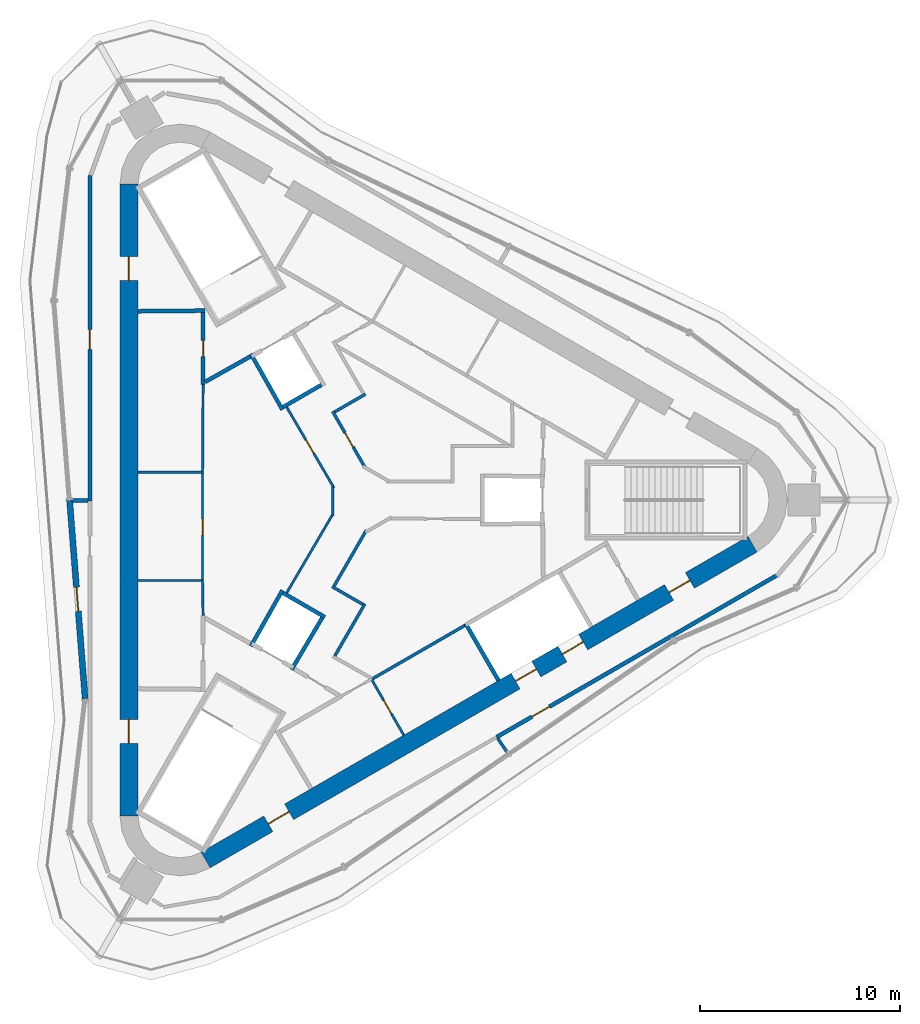
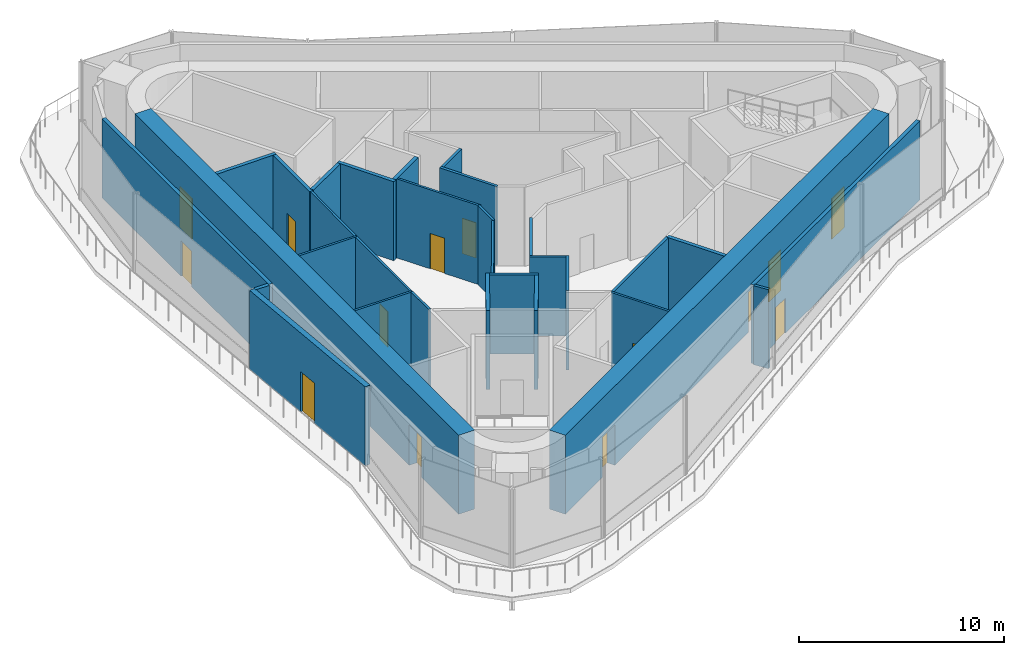
# One storey, part 4 of 8: 31 walls, 14 doors, 14 openings.
"""IFC4 building model written with IfcOpenShell, lengths in metres."""

from ifc_helpers import new_model, si_unit, direction, frame, frame_2d, origin, place, context, subcontext, project, spatial, rectangle, extrude, material, layer, layer_set, type_object, element, fill, save


model = new_model("IFC4")

# Units and contexts
model_context = context("Model", 3, precision=1e-05, world=origin(), true_north=direction((0.0, 1.0)))
body_context = subcontext(model_context, "Body", "Model", "MODEL_VIEW")
ifc_project = project(units=[si_unit("LENGTHUNIT", "METRE"), si_unit("AREAUNIT", "SQUARE_METRE"), si_unit("VOLUMEUNIT", "CUBIC_METRE"), si_unit("PLANEANGLEUNIT", "RADIAN"), si_unit("MASSUNIT", "GRAM", prefix="KILO")], contexts=[model_context])

# Site, building, storey
site_placement = place(None, origin())
site = spatial("IfcSite", under=ifc_project, at=site_placement, CompositionType="ELEMENT")
building_placement = place(site_placement, origin())
building = spatial("IfcBuilding", under=site, at=building_placement, Name="Tanit Gate Tower", CompositionType="ELEMENT")
storey_placement = place(building_placement, frame((0.0, 0.0, 440.300048828125)))
storey = spatial("IfcBuildingStorey", under=building, at=storey_placement, Name="L99", CompositionType="ELEMENT", Elevation=440.300048828125)

# Wall, openings, doors
ifc_material_1 = material(Name="Concrete C40/50", Category="concrete")
ifc_layer_1 = layer(ifc_material_1, 0.89990234375)
ifc_layer_set_1 = layer_set([ifc_layer_1], Name="CORE WALL 900 C40/50")
wall_type_1 = type_object("IfcWallType", Name="CORE WALL 900 C40/50", PredefinedType="SHEAR", material=ifc_layer_set_1)
wall_1_placement = place(storey_placement, frame((-11.64990234375, 15.76171875, 0.0), z_axis=(0.0, 0.0, 1.0), x_axis=(0.0, -1.0, 0.0)))
wall_1 = element("IfcWall", 1, at=wall_1_placement, inside=storey, type_object=wall_type_1, Name="CORE WALL", PredefinedType="SHEAR", context=body_context, shape_type="SweptSolid", body=[
    extrude(rectangle(XDim=31.5234375, YDim=0.89990234375, at=frame_2d((15.76171875, 0.0))), origin(), (0.0, 0.0, 1.0), 4.699951171875),
])
opening_1_placement = place(wall_1_placement, frame((3.61181640625, 0.0, 0.0)))
opening_1 = element("IfcOpeningElement", 2, at=opening_1_placement, cuts=wall_1, Name="Opening F12-99-FL2", PredefinedType="OPENING", context=body_context, shape_type="SweptSolid", body=[
    extrude(rectangle(XDim=1.199951171875, YDim=2.39990234375, at=frame_2d((0.60009765625, 1.199951171875))), frame((0.0, 0.4599609375, 0.0), z_axis=(0.0, -1.0, 0.0), x_axis=(1.0, 0.0, 0.0)), (0.0, 0.0, 1.0), 0.919921875),
])
opening_2_placement = place(wall_1_placement, frame((26.711669921875, 0.0, 0.0)))
opening_2 = element("IfcOpeningElement", 3, at=opening_2_placement, cuts=wall_1, Name="Opening F12-99-S3", PredefinedType="OPENING", context=body_context, shape_type="SweptSolid", body=[
    extrude(rectangle(XDim=1.199951171875, YDim=2.39990234375, at=frame_2d((0.60009765625, 1.199951171875))), frame((0.0, 0.4599609375, 0.0), z_axis=(0.0, -1.0, 0.0), x_axis=(1.0, 0.0, 0.0)), (0.0, 0.0, 1.0), 0.919921875),
])
ifc_material_2 = material(Name="Fire-rated steel door leaf", Category="steel")
door_type_1 = type_object("IfcDoorType", Name="INT-DOOR-FIRE-LOBBY-1200", OperationType="NOTDEFINED", PredefinedType="USERDEFINED", material=ifc_material_2)
door_1_placement = place(opening_1_placement, origin())
door_1 = element("IfcDoor", 4, at=door_1_placement, inside=storey, type_object=door_type_1, Name="Door F12-99-FL2", ObjectType="FIRE DOOR", OperationType="SINGLE_SWING_RIGHT", OverallHeight=2.39990234375, OverallWidth=1.199951171875, PredefinedType="USERDEFINED", context=body_context, shape_type="SweptSolid", body=[
    extrude(rectangle(XDim=1.199951171875, YDim=2.39990234375, at=frame_2d((0.60009765625, 1.199951171875))), frame((0.0, 0.02490234375, 0.0), z_axis=(0.0, -1.0, 0.0), x_axis=(1.0, 0.0, 0.0)), (0.0, 0.0, 1.0), 0.050048828125),
])
fill(opening_1, door_1)
door_2_placement = place(opening_2_placement, origin())
door_2 = element("IfcDoor", 5, at=door_2_placement, inside=storey, type_object=door_type_1, Name="Door F12-99-S3", ObjectType="FIRE DOOR", OperationType="SINGLE_SWING_RIGHT", OverallHeight=2.39990234375, OverallWidth=1.199951171875, PredefinedType="USERDEFINED", context=body_context, shape_type="SweptSolid", body=[
    extrude(rectangle(XDim=1.199951171875, YDim=2.39990234375, at=frame_2d((0.60009765625, 1.199951171875))), frame((0.0, 0.02490234375, 0.0), z_axis=(0.0, -1.0, 0.0), x_axis=(1.0, 0.0, 0.0)), (0.0, 0.0, 1.0), 0.050048828125),
])
fill(opening_2, door_2)

wall_2_placement = place(storey_placement, frame((-7.824951171875, -17.969970703125, 0.0), z_axis=(0.0, 0.0, 1.0), x_axis=(0.866028369851, 0.499994862586, 0.0)))
wall_2 = element("IfcWall", 6, at=wall_2_placement, inside=storey, type_object=wall_type_1, Name="CORE WALL", PredefinedType="SHEAR", context=body_context, shape_type="SweptSolid", body=[
    extrude(rectangle(XDim=31.523193359375, YDim=0.89990234375, at=frame_2d((15.76171875, 0.0))), origin(), (0.0, 0.0, 1.0), 4.699951171875),
])
opening_3_placement = place(wall_2_placement, frame((17.861572265625, 0.0, 0.0)))
opening_3 = element("IfcOpeningElement", 7, at=opening_3_placement, cuts=wall_2, Name="Opening LDSV1-99", PredefinedType="OPENING", context=body_context, shape_type="SweptSolid", body=[
    extrude(rectangle(XDim=1.199951171875, YDim=2.39990234375, at=frame_2d((0.60009765625, 1.199951171875))), frame((0.0, 0.4599609375, 0.0), z_axis=(0.0, -1.0, 0.0), x_axis=(1.0, 0.0, 0.0)), (0.0, 0.0, 1.0), 0.919921875),
])
opening_4_placement = place(wall_2_placement, frame((20.561767578125, 0.0, 0.0)))
opening_4 = element("IfcOpeningElement", 8, at=opening_4_placement, cuts=wall_2, Name="Opening LDSV2-99", PredefinedType="OPENING", context=body_context, shape_type="SweptSolid", body=[
    extrude(rectangle(XDim=1.199951171875, YDim=2.39990234375, at=frame_2d((0.60009765625, 1.199951171875))), frame((0.0, 0.4599609375, 0.0), z_axis=(0.0, -1.0, 0.0), x_axis=(1.0, 0.0, 0.0)), (0.0, 0.0, 1.0), 0.919921875),
])
opening_5_placement = place(wall_2_placement, frame((26.711669921875, 0.0, 0.0)))
opening_5 = element("IfcOpeningElement", 9, at=opening_5_placement, cuts=wall_2, Name="Opening F12-99-S1", PredefinedType="OPENING", context=body_context, shape_type="SweptSolid", body=[
    extrude(rectangle(XDim=1.199951171875, YDim=2.39990234375, at=frame_2d((0.60009765625, 1.199951171875))), frame((0.0, 0.4599609375, 0.0), z_axis=(0.0, -1.0, 0.0), x_axis=(1.0, 0.0, 0.0)), (0.0, 0.0, 1.0), 0.919921875),
])
opening_6_placement = place(wall_2_placement, frame((3.611572265625, 0.0, 0.0)))
opening_6 = element("IfcOpeningElement", 10, at=opening_6_placement, cuts=wall_2, Name="Opening F12-99-FL3", PredefinedType="OPENING", context=body_context, shape_type="SweptSolid", body=[
    extrude(rectangle(XDim=1.199951171875, YDim=2.39990234375, at=frame_2d((0.60009765625, 1.199951171875))), frame((0.0, 0.4599609375, 0.0), z_axis=(0.0, -1.0, 0.0), x_axis=(1.0, 0.0, 0.0)), (0.0, 0.0, 1.0), 0.919921875),
])
door_3_placement = place(opening_5_placement, origin())
door_3 = element("IfcDoor", 11, at=door_3_placement, inside=storey, type_object=door_type_1, Name="Door F12-99-S1", ObjectType="FIRE DOOR", OperationType="SINGLE_SWING_RIGHT", OverallHeight=2.39990234375, OverallWidth=1.199951171875, PredefinedType="USERDEFINED", context=body_context, shape_type="SweptSolid", body=[
    extrude(rectangle(XDim=1.199951171875, YDim=2.39990234375, at=frame_2d((0.60009765625, 1.199951171875))), frame((0.0, 0.02490234375, 0.0), z_axis=(0.0, -1.0, 0.0), x_axis=(1.0, 0.0, 0.0)), (0.0, 0.0, 1.0), 0.050048828125),
])
fill(opening_5, door_3)
door_4_placement = place(opening_6_placement, origin())
door_4 = element("IfcDoor", 12, at=door_4_placement, inside=storey, type_object=door_type_1, Name="Door F12-99-FL3", ObjectType="FIRE DOOR", OperationType="SINGLE_SWING_LEFT", OverallHeight=2.39990234375, OverallWidth=1.199951171875, PredefinedType="USERDEFINED", context=body_context, shape_type="SweptSolid", body=[
    extrude(rectangle(XDim=1.199951171875, YDim=2.39990234375, at=frame_2d((0.60009765625, 1.199951171875))), frame((0.0, 0.02490234375, 0.0), z_axis=(0.0, -1.0, 0.0), x_axis=(1.0, 0.0, 0.0)), (0.0, 0.0, 1.0), 0.050048828125),
])
fill(opening_6, door_4)
ifc_material_3 = material(Name="Stainless steel sliding door leaf", Category="steel")
door_type_2 = type_object("IfcDoorType", Name="INT-DOOR-LANDING-1200", OperationType="NOTDEFINED", PredefinedType="USERDEFINED", material=ifc_material_3)
door_5_placement = place(opening_3_placement, origin())
door_5 = element("IfcDoor", 13, at=door_5_placement, inside=storey, type_object=door_type_2, Name="Door LDSV1-99", ObjectType="LANDING DOOR", OperationType="SLIDING_TO_LEFT", OverallHeight=2.39990234375, OverallWidth=1.199951171875, PredefinedType="USERDEFINED", context=body_context, shape_type="SweptSolid", body=[
    extrude(rectangle(XDim=1.199951171875, YDim=2.39990234375, at=frame_2d((0.60009765625, 1.199951171875))), frame((0.0, 0.02490234375, 0.0), z_axis=(0.0, -1.0, 0.0), x_axis=(1.0, 0.0, 0.0)), (0.0, 0.0, 1.0), 0.050048828125),
])
fill(opening_3, door_5)
door_6_placement = place(opening_4_placement, origin())
door_6 = element("IfcDoor", 14, at=door_6_placement, inside=storey, type_object=door_type_2, Name="Door LDSV2-99", ObjectType="LANDING DOOR", OperationType="SLIDING_TO_LEFT", OverallHeight=2.39990234375, OverallWidth=1.199951171875, PredefinedType="USERDEFINED", context=body_context, shape_type="SweptSolid", body=[
    extrude(rectangle(XDim=1.199951171875, YDim=2.39990234375, at=frame_2d((0.60009765625, 1.199951171875))), frame((0.0, 0.02490234375, 0.0), z_axis=(0.0, -1.0, 0.0), x_axis=(1.0, 0.0, 0.0)), (0.0, 0.0, 1.0), 0.050048828125),
])
fill(opening_4, door_6)

# Wall
ifc_material_4 = material(Name="Fire-rated gypsum board partition")
ifc_layer_2 = layer(ifc_material_4, 0.199951171875)
ifc_layer_set_2 = layer_set([ifc_layer_2], Name="INT-WALL-COMPARTMENT")
wall_type_2 = type_object("IfcWallType", Name="INT-WALL-COMPARTMENT", PredefinedType="PARTITIONING", material=ifc_layer_set_2)
wall_3_placement = place(storey_placement, frame((-7.85009765625, 9.450927734375, 0.0), z_axis=(0.0, 0.0, 1.0), x_axis=(-0.999957167047, -0.009255488683, 0.0)))
element("IfcWall", 15, at=wall_3_placement, inside=storey, type_object=wall_type_2, Name="Wall Compartment W034", PredefinedType="PARTITIONING", context=body_context, shape_type="SweptSolid", body=[
    extrude(rectangle(XDim=3.35009765625, YDim=0.199951171875, at=frame_2d((1.675048828125, 0.0))), origin(), (0.0, 0.0, 1.0), 4.699951171875),
])

# Wall, opening, door
wall_4_placement = place(storey_placement, frame((-7.949951171875, 5.7724609375, 0.0), z_axis=(0.0, 0.0, 1.0), x_axis=(0.0, 1.0, 0.0)))
wall_4 = element("IfcWall", 16, at=wall_4_placement, inside=storey, type_object=wall_type_2, Name="Wall Compartment W035", PredefinedType="PARTITIONING", context=body_context, shape_type="SweptSolid", body=[
    extrude(rectangle(XDim=3.57763671875, YDim=0.199951171875, at=frame_2d((1.788818359375, 0.0))), origin(), (0.0, 0.0, 1.0), 4.699951171875),
])
opening_7_placement = place(wall_4_placement, frame((1.388916015625, 0.0, 0.0)))
opening_7 = element("IfcOpeningElement", 17, at=opening_7_placement, cuts=wall_4, Name="Opening R08-99-14", PredefinedType="OPENING", context=body_context, shape_type="SweptSolid", body=[
    extrude(rectangle(XDim=0.800048828125, YDim=2.10009765625, at=frame_2d((0.39990234375, 1.050048828125))), frame((0.0, 0.10986328125, 0.0), z_axis=(0.0, -1.0, 0.0), x_axis=(1.0, 0.0, 0.0)), (0.0, 0.0, 1.0), 0.219970703125),
])
ifc_material_5 = material(Name="Timber door leaf", Category="wood")
door_type_3 = type_object("IfcDoorType", Name="INT-DOOR-RISER-800", OperationType="NOTDEFINED", PredefinedType="USERDEFINED", material=ifc_material_5)
door_7_placement = place(opening_7_placement, origin())
door_7 = element("IfcDoor", 18, at=door_7_placement, inside=storey, type_object=door_type_3, Name="Door R08-99-14", ObjectType="FIRE DOOR", OperationType="SINGLE_SWING_RIGHT", OverallHeight=2.10009765625, OverallWidth=0.800048828125, PredefinedType="USERDEFINED", context=body_context, shape_type="SweptSolid", body=[
    extrude(rectangle(XDim=0.800048828125, YDim=2.10009765625, at=frame_2d((0.39990234375, 1.050048828125))), frame((0.0, 0.02490234375, 0.0), z_axis=(0.0, -1.0, 0.0), x_axis=(1.0, 0.0, 0.0)), (0.0, 0.0, 1.0), 0.050048828125),
])
fill(opening_7, door_7)

# Wall
wall_5_placement = place(storey_placement, frame((-5.600341796875, 7.16015625, 0.0), z_axis=(0.0, 0.0, 1.0), x_axis=(-0.871350695252, -0.490660744185, 0.0)))
element("IfcWall", 19, at=wall_5_placement, inside=storey, type_object=wall_type_2, Name="Wall Compartment W061", PredefinedType="PARTITIONING", context=body_context, shape_type="SweptSolid", body=[
    extrude(rectangle(XDim=2.58203125, YDim=0.199951171875, at=frame_2d((1.291015625, 0.0))), origin(), (0.0, 0.0, 1.0), 4.699951171875),
])

# Wall, opening, door
wall_6_placement = place(storey_placement, frame((-13.60009765625, 16.20556640625, 0.0), z_axis=(0.0, 0.0, 1.0), x_axis=(0.0, -1.0, 0.0)))
wall_6 = element("IfcWall", 20, at=wall_6_placement, inside=storey, type_object=wall_type_2, Name="Wall Compartment W090", PredefinedType="PARTITIONING", context=body_context, shape_type="SweptSolid", body=[
    extrude(rectangle(XDim=16.255615234375, YDim=0.199951171875, at=frame_2d((8.1279296875, 0.0))), origin(), (0.0, 0.0, 1.0), 4.699951171875),
])
opening_8_placement = place(wall_6_placement, frame((7.699951171875, 0.0, 0.0)))
opening_8 = element("IfcOpeningElement", 21, at=opening_8_placement, cuts=wall_6, Name="Opening F10-99-25", PredefinedType="OPENING", context=body_context, shape_type="SweptSolid", body=[
    extrude(rectangle(XDim=1.0, YDim=2.10009765625, at=frame_2d((0.5, 1.050048828125))), frame((0.0, 0.10986328125, 0.0), z_axis=(0.0, -1.0, 0.0), x_axis=(1.0, 0.0, 0.0)), (0.0, 0.0, 1.0), 0.219970703125),
])
ifc_material_6 = material(Name="Fire-rated steel door leaf", Category="steel")
door_type_4 = type_object("IfcDoorType", Name="INT-DOOR-FIRE-1000", OperationType="NOTDEFINED", PredefinedType="USERDEFINED", material=ifc_material_6)
door_8_placement = place(opening_8_placement, origin())
door_8 = element("IfcDoor", 22, at=door_8_placement, inside=storey, type_object=door_type_4, Name="Door F10-99-25", ObjectType="FIRE DOOR", OperationType="SINGLE_SWING_LEFT", OverallHeight=2.10009765625, OverallWidth=1.0, PredefinedType="USERDEFINED", context=body_context, shape_type="SweptSolid", body=[
    extrude(rectangle(XDim=1.0, YDim=2.10009765625, at=frame_2d((0.5, 1.050048828125))), frame((0.0, 0.02490234375, 0.0), z_axis=(0.0, -1.0, 0.0), x_axis=(1.0, 0.0, 0.0)), (0.0, 0.0, 1.0), 0.050048828125),
])
fill(opening_8, door_8)

# Wall
wall_7_placement = place(storey_placement, frame((-14.48583984375, -0.030029296875, 0.0), z_axis=(0.0, 0.0, 1.0), x_axis=(1.0, 0.0, 0.0)))
element("IfcWall", 23, at=wall_7_placement, inside=storey, type_object=wall_type_2, Name="Wall Compartment W093", PredefinedType="PARTITIONING", context=body_context, shape_type="SweptSolid", body=[
    extrude(rectangle(XDim=0.785888671875, YDim=0.199951171875, at=frame_2d((0.39306640625, 0.0))), origin(), (0.0, 0.0, 1.0), 4.699951171875),
])

# Wall, opening, door
wall_8_placement = place(storey_placement, frame((6.697509765625, -11.837158203125, 0.0), z_axis=(0.0, 0.0, 1.0), x_axis=(0.866022444471, 0.500005125646, 0.0)))
wall_8 = element("IfcWall", 24, at=wall_8_placement, inside=storey, type_object=wall_type_2, Name="Wall Compartment W109", PredefinedType="PARTITIONING", context=body_context, shape_type="SweptSolid", body=[
    extrude(rectangle(XDim=16.123779296875, YDim=0.199951171875, at=frame_2d((8.06201171875, 0.0))), origin(), (0.0, 0.0, 1.0), 4.699951171875),
])
opening_9_placement = place(wall_8_placement, frame((2.043701171875, 0.0, 0.0)))
opening_9 = element("IfcOpeningElement", 25, at=opening_9_placement, cuts=wall_8, Name="Opening F10-99-29", PredefinedType="OPENING", context=body_context, shape_type="SweptSolid", body=[
    extrude(rectangle(XDim=1.0, YDim=2.10009765625, at=frame_2d((0.5, 1.050048828125))), frame((0.0, 0.10986328125, 0.0), z_axis=(0.0, -1.0, 0.0), x_axis=(1.0, 0.0, 0.0)), (0.0, 0.0, 1.0), 0.219970703125),
])
door_9_placement = place(opening_9_placement, origin())
door_9 = element("IfcDoor", 26, at=door_9_placement, inside=storey, type_object=door_type_4, Name="Door F10-99-29", ObjectType="FIRE DOOR", OperationType="SINGLE_SWING_RIGHT", OverallHeight=2.10009765625, OverallWidth=1.0, PredefinedType="USERDEFINED", context=body_context, shape_type="SweptSolid", body=[
    extrude(rectangle(XDim=1.0, YDim=2.10009765625, at=frame_2d((0.5, 1.050048828125))), frame((0.0, 0.02490234375, 0.0), z_axis=(0.0, -1.0, 0.0), x_axis=(1.0, 0.0, 0.0)), (0.0, 0.0, 1.0), 0.050048828125),
])
fill(opening_9, door_9)

# Walls
ifc_material_7 = material(Name="Gypsum board partition")
ifc_layer_3 = layer(ifc_material_7, 0.1201171875)
ifc_layer_set_3 = layer_set([ifc_layer_3], Name="INT-WALL-PARTITION")
wall_type_3 = type_object("IfcWallType", Name="INT-WALL-PARTITION", PredefinedType="PARTITIONING", material=ifc_layer_set_3)
wall_9_placement = place(storey_placement, frame((-11.199951171875, 1.3798828125, 0.0), z_axis=(0.0, 0.0, 1.0), x_axis=(1.0, 0.0, 0.0)))
element("IfcWall", 27, at=wall_9_placement, inside=storey, type_object=wall_type_3, Name="Wall Partition W033", PredefinedType="PARTITIONING", context=body_context, shape_type="SweptSolid", body=[
    extrude(rectangle(XDim=3.25, YDim=0.1201171875, at=frame_2d((1.625, 0.0))), origin(), (0.0, 0.0, 1.0), 4.699951171875),
])
wall_10_placement = place(storey_placement, frame((-7.950439453125, 5.7724609375, 0.0), z_axis=(0.0, 0.0, 1.0), x_axis=(-0.006679767059, -0.999977690107, 0.0)))
element("IfcWall", 28, at=wall_10_placement, inside=storey, type_object=wall_type_3, Name="Wall Partition W036", PredefinedType="PARTITIONING", context=body_context, shape_type="SweptSolid", body=[
    extrude(rectangle(XDim=4.42236328125, YDim=0.1201171875, at=frame_2d((2.211181640625, 0.0))), origin(), (0.0, 0.0, 1.0), 4.699951171875),
])
wall_11_placement = place(storey_placement, frame((-11.199951171875, -4.02001953125, 0.0), z_axis=(0.0, 0.0, 1.0), x_axis=(1.0, 0.0, 0.0)))
element("IfcWall", 29, at=wall_11_placement, inside=storey, type_object=wall_type_3, Name="Wall Partition W037", PredefinedType="PARTITIONING", context=body_context, shape_type="SweptSolid", body=[
    extrude(rectangle(XDim=3.25, YDim=0.1201171875, at=frame_2d((1.625, 0.0))), origin(), (0.0, 0.0, 1.0), 4.699951171875),
])

# Wall, opening, door
wall_12_placement = place(storey_placement, frame((-7.97998046875, 1.35009765625, 0.0), z_axis=(0.0, 0.0, 1.0), x_axis=(0.0, -1.0, 0.0)))
wall_12 = element("IfcWall", 30, at=wall_12_placement, inside=storey, type_object=wall_type_3, Name="Wall Partition W038", PredefinedType="PARTITIONING", context=body_context, shape_type="SweptSolid", body=[
    extrude(rectangle(XDim=5.400146484375, YDim=0.1201171875, at=frame_2d((2.7001953125, 0.0))), origin(), (0.0, 0.0, 1.0), 4.699951171875),
])
opening_10_placement = place(wall_12_placement, frame((2.300048828125, 0.0, 0.0)))
opening_10 = element("IfcOpeningElement", 31, at=opening_10_placement, cuts=wall_12, Name="Opening R08-99-15", PredefinedType="OPENING", context=body_context, shape_type="SweptSolid", body=[
    extrude(rectangle(XDim=0.800048828125, YDim=2.10009765625, at=frame_2d((0.39990234375, 1.050048828125))), frame((0.0, 0.070068359375, 0.0), z_axis=(0.0, -1.0, 0.0), x_axis=(1.0, 0.0, 0.0)), (0.0, 0.0, 1.0), 0.14013671875),
])
door_10_placement = place(opening_10_placement, origin())
door_10 = element("IfcDoor", 32, at=door_10_placement, inside=storey, type_object=door_type_3, Name="Door R08-99-15", ObjectType="FIRE DOOR", OperationType="SINGLE_SWING_RIGHT", OverallHeight=2.10009765625, OverallWidth=0.800048828125, PredefinedType="USERDEFINED", context=body_context, shape_type="SweptSolid", body=[
    extrude(rectangle(XDim=0.800048828125, YDim=2.10009765625, at=frame_2d((0.39990234375, 1.050048828125))), frame((0.0, 0.02490234375, 0.0), z_axis=(0.0, -1.0, 0.0), x_axis=(1.0, 0.0, 0.0)), (0.0, 0.0, 1.0), 0.050048828125),
])
fill(opening_10, door_10)

# Wall
wall_13_placement = place(storey_placement, frame((-7.97998046875, -4.050048828125, 0.0), z_axis=(0.0, 0.0, 1.0), x_axis=(0.016723387416, -0.999860154378, 0.0)))
element("IfcWall", 33, at=wall_13_placement, inside=storey, type_object=wall_type_3, Name="Wall Partition W041", PredefinedType="PARTITIONING", context=body_context, shape_type="SweptSolid", body=[
    extrude(rectangle(XDim=1.72265625, YDim=0.1201171875, at=frame_2d((0.861328125, 0.0))), origin(), (0.0, 0.0, 1.0), 4.699951171875),
])

# Wall, opening, door
wall_14_placement = place(storey_placement, frame((2.066650390625, -11.739501953125, 0.0), z_axis=(0.0, 0.0, 1.0), x_axis=(-0.499984717929, 0.866034226713, 0.0)))
wall_14 = element("IfcWall", 34, at=wall_14_placement, inside=storey, type_object=wall_type_3, Name="Wall Partition W052", PredefinedType="PARTITIONING", context=body_context, shape_type="SweptSolid", body=[
    extrude(rectangle(XDim=3.25, YDim=0.1201171875, at=frame_2d((1.625, 0.0))), origin(), (0.0, 0.0, 1.0), 4.699951171875),
])
opening_11_placement = place(wall_14_placement, frame((1.22509765625, 0.0, 0.0)))
opening_11 = element("IfcOpeningElement", 35, at=opening_11_placement, cuts=wall_14, Name="Opening R08-99-21", PredefinedType="OPENING", context=body_context, shape_type="SweptSolid", body=[
    extrude(rectangle(XDim=0.800048828125, YDim=2.10009765625, at=frame_2d((0.39990234375, 1.050048828125))), frame((0.0, 0.070068359375, 0.0), z_axis=(0.0, -1.0, 0.0), x_axis=(1.0, 0.0, 0.0)), (0.0, 0.0, 1.0), 0.14013671875),
])
door_11_placement = place(opening_11_placement, origin())
door_11 = element("IfcDoor", 36, at=door_11_placement, inside=storey, type_object=door_type_3, Name="Door R08-99-21", ObjectType="FIRE DOOR", OperationType="SINGLE_SWING_LEFT", OverallHeight=2.10009765625, OverallWidth=0.800048828125, PredefinedType="USERDEFINED", context=body_context, shape_type="SweptSolid", body=[
    extrude(rectangle(XDim=0.800048828125, YDim=2.10009765625, at=frame_2d((0.39990234375, 1.050048828125))), frame((0.0, 0.02490234375, 0.0), z_axis=(0.0, -1.0, 0.0), x_axis=(1.0, 0.0, 0.0)), (0.0, 0.0, 1.0), 0.050048828125),
])
fill(opening_11, door_11)

wall_15_placement = place(storey_placement, frame((-1.42041015625, 0.611572265625, 0.0), z_axis=(0.0, 0.0, 1.0), x_axis=(-0.505492266403, 0.862831135627, 0.0)))
wall_15 = element("IfcWall", 37, at=wall_15_placement, inside=storey, type_object=wall_type_3, Name="Wall Partition W065", PredefinedType="PARTITIONING", context=body_context, shape_type="SweptSolid", body=[
    extrude(rectangle(XDim=4.66015625, YDim=0.1201171875, at=frame_2d((2.330078125, 0.0))), origin(), (0.0, 0.0, 1.0), 4.699951171875),
])
opening_12_placement = place(wall_15_placement, frame((1.981201171875, 0.0, 0.0)))
opening_12 = element("IfcOpeningElement", 38, at=opening_12_placement, cuts=wall_15, Name="Opening R08-99-10", PredefinedType="OPENING", context=body_context, shape_type="SweptSolid", body=[
    extrude(rectangle(XDim=0.800048828125, YDim=2.10009765625, at=frame_2d((0.39990234375, 1.050048828125))), frame((0.0, 0.070068359375, 0.0), z_axis=(0.0, -1.0, 0.0), x_axis=(1.0, 0.0, 0.0)), (0.0, 0.0, 1.0), 0.14013671875),
])
door_12_placement = place(opening_12_placement, origin())
door_12 = element("IfcDoor", 39, at=door_12_placement, inside=storey, type_object=door_type_3, Name="Door R08-99-10", ObjectType="FIRE DOOR", OperationType="SINGLE_SWING_RIGHT", OverallHeight=2.10009765625, OverallWidth=0.800048828125, PredefinedType="USERDEFINED", context=body_context, shape_type="SweptSolid", body=[
    extrude(rectangle(XDim=0.800048828125, YDim=2.10009765625, at=frame_2d((0.39990234375, 1.050048828125))), frame((0.0, 0.02490234375, 0.0), z_axis=(0.0, -1.0, 0.0), x_axis=(1.0, 0.0, 0.0)), (0.0, 0.0, 1.0), 0.050048828125),
])
fill(opening_12, door_12)

# Walls
wall_16_placement = place(storey_placement, frame((-1.47216796875, -0.802490234375, 0.0), z_axis=(0.0, 0.0, 1.0), x_axis=(0.0, 1.0, 0.0)))
element("IfcWall", 40, at=wall_16_placement, inside=storey, type_object=wall_type_3, Name="Wall Partition W066", PredefinedType="PARTITIONING", context=body_context, shape_type="SweptSolid", body=[
    extrude(rectangle(XDim=1.483642578125, YDim=0.1201171875, at=frame_2d((0.74169921875, 0.0))), origin(), (0.0, 0.0, 1.0), 4.699951171875),
])
wall_17_placement = place(storey_placement, frame((-3.776123046875, -4.632568359375, 0.0), z_axis=(0.0, 0.0, 1.0), x_axis=(0.505505519663, 0.862823371027, 0.0)))
element("IfcWall", 41, at=wall_17_placement, inside=storey, type_object=wall_type_3, Name="Wall Partition W067", PredefinedType="PARTITIONING", context=body_context, shape_type="SweptSolid", body=[
    extrude(rectangle(XDim=4.538818359375, YDim=0.1201171875, at=frame_2d((2.26953125, 0.0))), origin(), (0.0, 0.0, 1.0), 4.699951171875),
])
ifc_material_8 = material(Name="Fire-rated gypsum board partition")
ifc_layer_4 = layer(ifc_material_8, 0.14990234375)
ifc_layer_set_4 = layer_set([ifc_layer_4], Name="INT-WALL-RISER")
wall_type_4 = type_object("IfcWallType", Name="INT-WALL-RISER", PredefinedType="PLUMBINGWALL", material=ifc_layer_set_4)
wall_18_placement = place(storey_placement, frame((0.482666015625, -8.935791015625, 0.0), z_axis=(0.0, 0.0, 1.0), x_axis=(0.866028230842, 0.499995103361, 0.0)))
element("IfcWall", 42, at=wall_18_placement, inside=storey, type_object=wall_type_4, Name="Wall Riser W056", PredefinedType="PLUMBINGWALL", context=body_context, shape_type="SweptSolid", body=[
    extrude(rectangle(XDim=5.39990234375, YDim=0.14990234375, at=frame_2d((2.699951171875, 0.0))), origin(), (0.0, 0.0, 1.0), 4.699951171875),
])
wall_19_placement = place(storey_placement, frame((0.125732421875, -5.18212890625, 0.0), z_axis=(0.0, 0.0, 1.0), x_axis=(-0.499990139034, -0.866031096941, 0.0)))
element("IfcWall", 43, at=wall_19_placement, inside=storey, type_object=wall_type_4, Name="Wall Riser W069", PredefinedType="PLUMBINGWALL", context=body_context, shape_type="SweptSolid", body=[
    extrude(rectangle(XDim=3.0, YDim=0.14990234375, at=frame_2d((1.5, 0.0))), origin(), (0.0, 0.0, 1.0), 4.699951171875),
])
wall_20_placement = place(storey_placement, frame((-1.513916015625, -4.322021484375, 0.0), z_axis=(0.0, 0.0, 1.0), x_axis=(0.866000072607, -0.50004387232, 0.0)))
element("IfcWall", 44, at=wall_20_placement, inside=storey, type_object=wall_type_4, Name="Wall Riser W070", PredefinedType="PLUMBINGWALL", context=body_context, shape_type="SweptSolid", body=[
    extrude(rectangle(XDim=1.775146484375, YDim=0.14990234375, at=frame_2d((0.8876953125, 0.0))), origin(), (0.0, 0.0, 1.0), 4.699951171875),
])
wall_21_placement = place(storey_placement, frame((0.19482421875, -1.512451171875, 0.0), z_axis=(0.0, 0.0, 1.0), x_axis=(-0.499972432429, -0.866041319344, 0.0)))
element("IfcWall", 45, at=wall_21_placement, inside=storey, type_object=wall_type_4, Name="Wall Riser W071", PredefinedType="PLUMBINGWALL", context=body_context, shape_type="SweptSolid", body=[
    extrude(rectangle(XDim=3.212646484375, YDim=0.14990234375, at=frame_2d((1.6064453125, 0.0))), origin(), (0.0, 0.0, 1.0), 4.699951171875),
])

# Wall, opening, door
wall_22_placement = place(storey_placement, frame((-1.486328125, 4.424560546875, 0.0), z_axis=(0.0, 0.0, 1.0), x_axis=(0.499992422807, -0.866029778435, 0.0)))
wall_22 = element("IfcWall", 46, at=wall_22_placement, inside=storey, type_object=wall_type_4, Name="Wall Riser W083", PredefinedType="PLUMBINGWALL", context=body_context, shape_type="SweptSolid", body=[
    extrude(rectangle(XDim=3.20947265625, YDim=0.14990234375, at=frame_2d((1.604736328125, 0.0))), origin(), (0.0, 0.0, 1.0), 4.699951171875),
])
opening_13_placement = place(wall_22_placement, frame((1.2421875, 0.0, 0.0)))
opening_13 = element("IfcOpeningElement", 47, at=opening_13_placement, cuts=wall_22, Name="Opening R08-99-13", PredefinedType="OPENING", context=body_context, shape_type="SweptSolid", body=[
    extrude(rectangle(XDim=0.800048828125, YDim=2.10009765625, at=frame_2d((0.39990234375, 1.050048828125))), frame((0.0, 0.0849609375, 0.0), z_axis=(0.0, -1.0, 0.0), x_axis=(1.0, 0.0, 0.0)), (0.0, 0.0, 1.0), 0.169921875),
])
door_13_placement = place(opening_13_placement, origin())
door_13 = element("IfcDoor", 48, at=door_13_placement, inside=storey, type_object=door_type_3, Name="Door R08-99-13", ObjectType="FIRE DOOR", OperationType="SINGLE_SWING_LEFT", OverallHeight=2.10009765625, OverallWidth=0.800048828125, PredefinedType="USERDEFINED", context=body_context, shape_type="SweptSolid", body=[
    extrude(rectangle(XDim=0.800048828125, YDim=2.10009765625, at=frame_2d((0.39990234375, 1.050048828125))), frame((0.0, 0.02490234375, 0.0), z_axis=(0.0, -1.0, 0.0), x_axis=(1.0, 0.0, 0.0)), (0.0, 0.0, 1.0), 0.050048828125),
])
fill(opening_13, door_13)

# Walls
wall_23_placement = place(storey_placement, frame((0.1533203125, 5.28466796875, 0.0), z_axis=(0.0, 0.0, 1.0), x_axis=(-0.866059624469, -0.499940723351, 0.0)))
element("IfcWall", 49, at=wall_23_placement, inside=storey, type_object=wall_type_4, Name="Wall Riser W084", PredefinedType="PLUMBINGWALL", context=body_context, shape_type="SweptSolid", body=[
    extrude(rectangle(XDim=1.775146484375, YDim=0.14990234375, at=frame_2d((0.8876953125, 0.0))), origin(), (0.0, 0.0, 1.0), 4.699951171875),
])
wall_24_placement = place(storey_placement, frame((7.21337890625, -12.568359375, 0.0), z_axis=(0.0, 0.0, 1.0), x_axis=(-0.565933909506, 0.824450611056, 0.0)))
element("IfcWall", 50, at=wall_24_placement, inside=storey, type_object=wall_type_4, Name="Wall Riser W110", PredefinedType="PLUMBINGWALL", context=body_context, shape_type="SweptSolid", body=[
    extrude(rectangle(XDim=0.81884765625, YDim=0.14990234375, at=frame_2d((0.409423828125, 0.0))), origin(), (0.0, 0.0, 1.0), 4.699951171875),
])
ifc_material_9 = material(Name="Gypsum shaft wall system")
ifc_layer_5 = layer(ifc_material_9, 0.199951171875)
ifc_layer_set_5 = layer_set([ifc_layer_5], Name="INT-WALL-SHAFT")
wall_type_5 = type_object("IfcWallType", Name="INT-WALL-SHAFT", PredefinedType="PLUMBINGWALL", material=ifc_layer_set_5)
wall_25_placement = place(storey_placement, frame((6.795166015625, -9.009521484375, 0.0), z_axis=(0.0, 0.0, 1.0), x_axis=(-0.499984717929, 0.866034226713, 0.0)))
element("IfcWall", 51, at=wall_25_placement, inside=storey, type_object=wall_type_5, Name="Wall Shaft W001", PredefinedType="PLUMBINGWALL", context=body_context, shape_type="SweptSolid", body=[
    extrude(rectangle(XDim=3.25, YDim=0.199951171875, at=frame_2d((1.625, 0.0))), origin(), (0.0, 0.0, 1.0), 4.699951171875),
])
wall_26_placement = place(storey_placement, frame((-2.04736328125, 5.74609375, 0.0), z_axis=(0.0, 0.0, 1.0), x_axis=(-0.86605622881, -0.499946605688, 0.0)))
element("IfcWall", 52, at=wall_26_placement, inside=storey, type_object=wall_type_5, Name="Wall Shaft W023", PredefinedType="PLUMBINGWALL", context=body_context, shape_type="SweptSolid", body=[
    extrude(rectangle(XDim=2.199951171875, YDim=0.199951171875, at=frame_2d((1.10009765625, 0.0))), origin(), (0.0, 0.0, 1.0), 4.699951171875),
])
for number, where, z_axis, x_axis, name in (
    (53, (-3.989990234375, 4.509033203125, 0.0), (0.0, 0.0, 1.0), (-0.491358283181, 0.870957540612, 0.0), "Wall Shaft W021"),
    (54, (-5.5625, -7.29638671875, 0.0), (0.0, 0.0, 1.0), (0.491358283181, 0.870957540612, 0.0), "Wall Shaft W029"),
):
    element("IfcWall", number, at=place(storey_placement, frame(where, z_axis=z_axis, x_axis=x_axis)), inside=storey, type_object=wall_type_5, Name=name, PredefinedType="PLUMBINGWALL", context=body_context, shape_type="SweptSolid", body=[
        extrude(rectangle(XDim=3.200439453125, YDim=0.199951171875, at=frame_2d((1.60009765625, 0.0))), origin(), (0.0, 0.0, 1.0), 4.699951171875),
    ])
wall_27_placement = place(storey_placement, frame((-3.95263671875, -4.646240234375, 0.0), z_axis=(0.0, 0.0, 1.0), x_axis=(0.866024647952, -0.500001309137, 0.0)))
element("IfcWall", 55, at=wall_27_placement, inside=storey, type_object=wall_type_5, Name="Wall Shaft W030", PredefinedType="PLUMBINGWALL", context=body_context, shape_type="SweptSolid", body=[
    extrude(rectangle(XDim=2.39990234375, YDim=0.199951171875, at=frame_2d((1.199951171875, 0.0))), origin(), (0.0, 0.0, 1.0), 4.699951171875),
])
wall_28_placement = place(storey_placement, frame((-2.01171875, -5.88232421875, 0.0), z_axis=(0.0, 0.0, 1.0), x_axis=(-0.508619639323, -0.860991325447, 0.0)))
element("IfcWall", 56, at=wall_28_placement, inside=storey, type_object=wall_type_5, Name="Wall Shaft W032", PredefinedType="PLUMBINGWALL", context=body_context, shape_type="SweptSolid", body=[
    extrude(rectangle(XDim=3.0, YDim=0.199951171875, at=frame_2d((1.5, 0.0))), origin(), (0.0, 0.0, 1.0), 4.699951171875),
])

# Wall, opening, door
ifc_material_10 = material(Name="Concrete C30/37 insulated", Category="concrete")
ifc_layer_6 = layer(ifc_material_10, 0.300048828125)
ifc_layer_set_6 = layer_set([ifc_layer_6], Name="Plant level wall 300 insulated")
wall_type_6 = type_object("IfcWallType", Name="Plant level wall 300 insulated", PredefinedType="SOLIDWALL", material=ifc_layer_set_6)
wall_29_placement = place(storey_placement, frame((-14.613525390625, -0.00244140625, 0.0), z_axis=(0.0, 0.0, 1.0), x_axis=(0.077860592968, -0.996964256161, 0.0)))
wall_29 = element("IfcWall", 57, at=wall_29_placement, inside=storey, type_object=wall_type_6, Name="Facade wall L99 W2.2", PredefinedType="SOLIDWALL", context=body_context, shape_type="SweptSolid", body=[
    extrude(rectangle(XDim=9.943115234375, YDim=0.300048828125, at=frame_2d((4.9716796875, 0.0))), origin(), (0.0, 0.0, 1.0), 4.699951171875),
])
opening_14_placement = place(wall_29_placement, frame((4.37158203125, 0.0, 0.0)))
opening_14 = element("IfcOpeningElement", 58, at=opening_14_placement, cuts=wall_29, Name="Opening D4", PredefinedType="OPENING", context=body_context, shape_type="SweptSolid", body=[
    extrude(rectangle(XDim=1.199951171875, YDim=2.39990234375, at=frame_2d((0.60009765625, 1.199951171875))), frame((0.0, 0.16015625, 0.0), z_axis=(0.0, -1.0, 0.0), x_axis=(1.0, 0.0, 0.0)), (0.0, 0.0, 1.0), 0.320068359375),
])
ifc_material_11 = material(Name="Steel S355 galvanised", Category="steel")
door_type_5 = type_object("IfcDoorType", Name="Service door single 1200x2400", OperationType="NOTDEFINED", PredefinedType="DOOR", material=ifc_material_11)
door_14_placement = place(opening_14_placement, frame((1.199951171875, 0.0, 0.0), z_axis=(0.0, 0.0, 1.0), x_axis=(-1.0, 0.0, 0.0)))
door_14 = element("IfcDoor", 59, at=door_14_placement, inside=storey, type_object=door_type_5, Name="Terrace service door", OperationType="SINGLE_SWING_RIGHT", OverallHeight=2.39990234375, OverallWidth=1.199951171875, PredefinedType="DOOR", context=body_context, shape_type="SweptSolid", body=[
    extrude(rectangle(XDim=1.199951171875, YDim=2.39990234375, at=frame_2d((0.60009765625, 1.199951171875))), frame((0.0, 0.02490234375, 0.0), z_axis=(0.0, -1.0, 0.0), x_axis=(1.0, 0.0, 0.0)), (0.0, 0.0, 1.0), 0.050048828125),
])
fill(opening_14, door_14)

save(model, "model.ifc")
